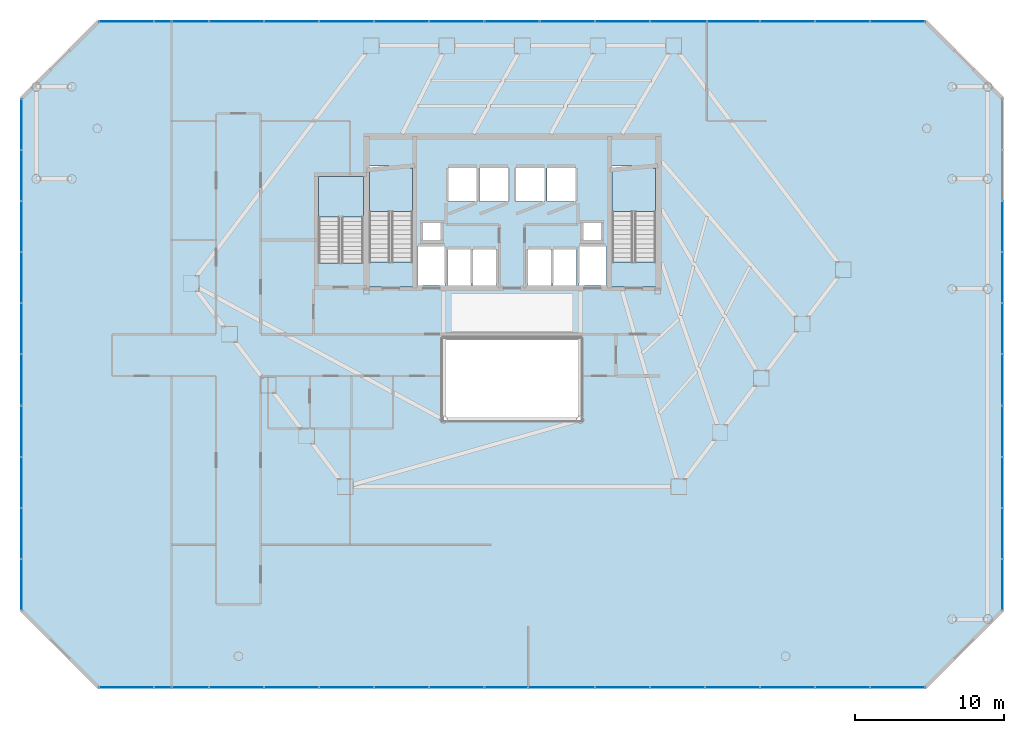
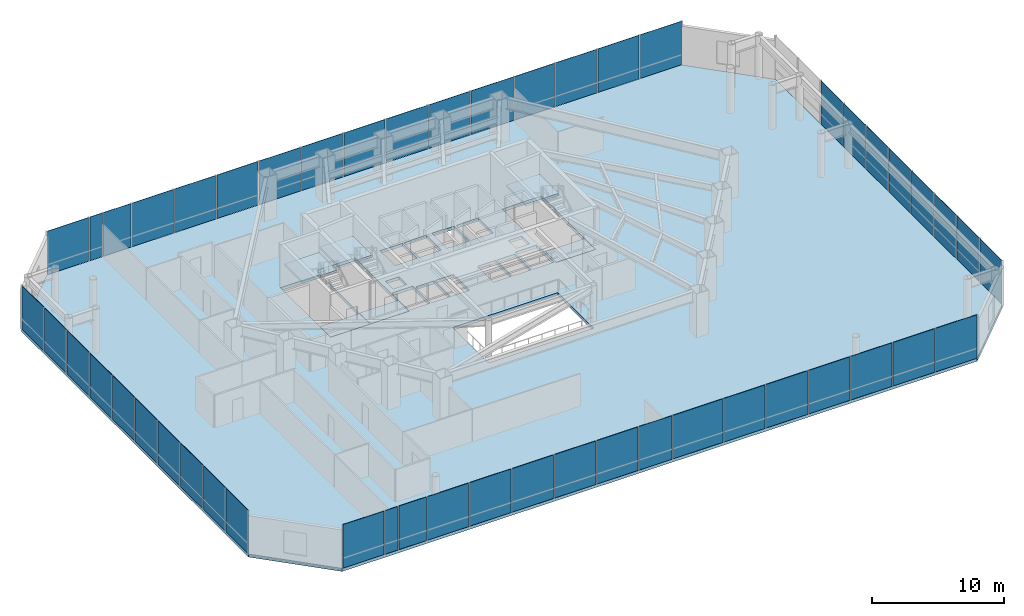
# One storey, part 28 of 33: 50 plates, 7 slabs, 7 elements without a shape of their own.
"""IFC4 building model written with IfcOpenShell, lengths in metres."""

from ifc_helpers import new_model, si_unit, direction, frame, origin, origin_2d, place, context, subcontext, project, spatial, polyline, rectangle, outline, extrude, material, layer, layer_set, type_object, element, aggregate, save


model = new_model("IFC4")

# Units and contexts
model_context = context("Model", 3, precision=1e-05, world=origin(), true_north=direction((0.0, 1.0)))
body_context = subcontext(model_context, "Body", "Model", "MODEL_VIEW")
ifc_project = project(units=[si_unit("LENGTHUNIT", "METRE"), si_unit("AREAUNIT", "SQUARE_METRE"), si_unit("VOLUMEUNIT", "CUBIC_METRE"), si_unit("PLANEANGLEUNIT", "RADIAN"), si_unit("MASSUNIT", "GRAM", prefix="KILO")], contexts=[model_context])

# Site, building, storey
site_placement = place(None, origin())
site = spatial("IfcSite", under=ifc_project, at=site_placement, CompositionType="ELEMENT")
building_placement = place(site_placement, origin())
building = spatial("IfcBuilding", under=site, at=building_placement, Name="Zarrinselat Tower", CompositionType="ELEMENT")
storey_placement = place(building_placement, frame((0.0, 0.0, 18.360107421875)))
storey = spatial("IfcBuildingStorey", under=building, at=storey_placement, Name="L04", CompositionType="ELEMENT", Elevation=18.360107421875)

# Curtain wall, plates
ifc_material_1 = material(Name="Extruded Aluminium Alloy EN AW-6063 T6", Category="aluminium")
ifc_layer_1 = layer(ifc_material_1, 0.2099609375)
ifc_layer_set_1 = layer_set([ifc_layer_1], Name="Extruded Aluminium Alloy EN AW-6063 T6")
curtain_wall_type = type_object("IfcCurtainWallType", Name="CWS-POD", PredefinedType="NOTDEFINED", material=ifc_layer_set_1)
curtain_wall_1_placement = place(storey_placement, origin())
curtain_wall_1 = element("IfcCurtainWall", 1, at=curtain_wall_1_placement, inside=storey, type_object=curtain_wall_type, Name="L04 Unitised Curtain Wall CW-L04-F1", PredefinedType="NOTDEFINED")
ifc_material_2 = material(Name="Double Low-E Laminated Solar Glass", Category="glass")
ifc_layer_2 = layer(ifc_material_2, 0.035888671875)
ifc_layer_set_2 = layer_set([ifc_layer_2], Name="Double Low-E Laminated Solar Glass")
plate_type = type_object("IfcPlateType", Name="PLT-CW-GL36", PredefinedType="CURTAIN_PANEL", material=ifc_layer_set_2)
plate_1_placement = place(storey_placement, frame((12.453369140625, 6.39990234375, 0.02001953125), z_axis=(0.0, 0.0, 1.0), x_axis=(1.0, 0.0, 0.0)))
plate_1 = element("IfcPlate", 2, at=plate_1_placement, type_object=plate_type, Name="CW-L04-F1 Vision Glass Panel 1", PredefinedType="CURTAIN_PANEL", context=body_context, shape_type="SweptSolid", body=[
    extrude(rectangle(XDim=3.606689453125, YDim=0.035888671875, at=origin_2d()), origin(), (0.0, 0.0, 1.0), 4.030029296875),
])
plate_2_placement = place(storey_placement, frame((14.9033203125, 6.39990234375, 0.02001953125), z_axis=(0.0, 0.0, 1.0), x_axis=(1.0, 0.0, 0.0)))
plate_2 = element("IfcPlate", 3, at=plate_2_placement, type_object=plate_type, Name="CW-L04-F1 Vision Glass Panel 2", PredefinedType="CURTAIN_PANEL", context=body_context, shape_type="SweptSolid", body=[
    extrude(rectangle(XDim=1.09326171875, YDim=0.035888671875, at=origin_2d()), origin(), (0.0, 0.0, 1.0), 4.030029296875),
])
plate_3_placement = place(storey_placement, frame((16.756591796875, 6.39990234375, 0.02001953125), z_axis=(0.0, 0.0, 1.0), x_axis=(1.0, 0.0, 0.0)))
plate_3 = element("IfcPlate", 4, at=plate_3_placement, type_object=plate_type, Name="CW-L04-F1 Vision Glass Panel 3", PredefinedType="CURTAIN_PANEL", context=body_context, shape_type="SweptSolid", body=[
    extrude(rectangle(XDim=2.413330078125, YDim=0.035888671875, at=origin_2d()), origin(), (0.0, 0.0, 1.0), 4.030029296875),
])
plate_4_placement = place(storey_placement, frame((19.86669921875, 6.39990234375, 0.02001953125), z_axis=(0.0, 0.0, 1.0), x_axis=(1.0, 0.0, 0.0)))
plate_4 = element("IfcPlate", 5, at=plate_4_placement, type_object=plate_type, Name="CW-L04-F1 Vision Glass Panel 4", PredefinedType="CURTAIN_PANEL", context=body_context, shape_type="SweptSolid", body=[
    extrude(rectangle(XDim=3.606689453125, YDim=0.035888671875, at=origin_2d()), origin(), (0.0, 0.0, 1.0), 4.030029296875),
])
plate_5_placement = place(storey_placement, frame((23.5732421875, 6.39990234375, 0.02001953125), z_axis=(0.0, 0.0, 1.0), x_axis=(1.0, 0.0, 0.0)))
plate_5 = element("IfcPlate", 6, at=plate_5_placement, type_object=plate_type, Name="CW-L04-F1 Vision Glass Panel 5", PredefinedType="CURTAIN_PANEL", context=body_context, shape_type="SweptSolid", body=[
    extrude(rectangle(XDim=3.606689453125, YDim=0.035888671875, at=origin_2d()), origin(), (0.0, 0.0, 1.0), 4.030029296875),
])
plate_6_placement = place(storey_placement, frame((27.280029296875, 6.39990234375, 0.02001953125), z_axis=(0.0, 0.0, 1.0), x_axis=(1.0, 0.0, 0.0)))
plate_6 = element("IfcPlate", 7, at=plate_6_placement, type_object=plate_type, Name="CW-L04-F1 Vision Glass Panel 6", PredefinedType="CURTAIN_PANEL", context=body_context, shape_type="SweptSolid", body=[
    extrude(rectangle(XDim=3.606689453125, YDim=0.035888671875, at=origin_2d()), origin(), (0.0, 0.0, 1.0), 4.030029296875),
])
plate_7_placement = place(storey_placement, frame((30.98681640625, 6.39990234375, 0.02001953125), z_axis=(0.0, 0.0, 1.0), x_axis=(1.0, 0.0, 0.0)))
plate_7 = element("IfcPlate", 8, at=plate_7_placement, type_object=plate_type, Name="CW-L04-F1 Vision Glass Panel 7", PredefinedType="CURTAIN_PANEL", context=body_context, shape_type="SweptSolid", body=[
    extrude(rectangle(XDim=3.606689453125, YDim=0.035888671875, at=origin_2d()), origin(), (0.0, 0.0, 1.0), 4.030029296875),
])
plate_8_placement = place(storey_placement, frame((34.693359375, 6.39990234375, 0.02001953125), z_axis=(0.0, 0.0, 1.0), x_axis=(1.0, 0.0, 0.0)))
plate_8 = element("IfcPlate", 9, at=plate_8_placement, type_object=plate_type, Name="CW-L04-F1 Vision Glass Panel 8", PredefinedType="CURTAIN_PANEL", context=body_context, shape_type="SweptSolid", body=[
    extrude(rectangle(XDim=3.606689453125, YDim=0.035888671875, at=origin_2d()), origin(), (0.0, 0.0, 1.0), 4.030029296875),
])
plate_9_placement = place(storey_placement, frame((38.023193359375, 6.39990234375, 0.02001953125), z_axis=(0.0, 0.0, 1.0), x_axis=(1.0, 0.0, 0.0)))
plate_9 = element("IfcPlate", 10, at=plate_9_placement, type_object=plate_type, Name="CW-L04-F1 Vision Glass Panel 9", PredefinedType="CURTAIN_PANEL", context=body_context, shape_type="SweptSolid", body=[
    extrude(rectangle(XDim=2.853271484375, YDim=0.035888671875, at=origin_2d()), origin(), (0.0, 0.0, 1.0), 4.030029296875),
])
plate_10_placement = place(storey_placement, frame((41.72998046875, 6.39990234375, 0.02001953125), z_axis=(0.0, 0.0, 1.0), x_axis=(1.0, 0.0, 0.0)))
plate_10 = element("IfcPlate", 11, at=plate_10_placement, type_object=plate_type, Name="CW-L04-F1 Vision Glass Panel 10", PredefinedType="CURTAIN_PANEL", context=body_context, shape_type="SweptSolid", body=[
    extrude(rectangle(XDim=4.360107421875, YDim=0.035888671875, at=origin_2d()), origin(), (0.0, 0.0, 1.0), 4.030029296875),
])
plate_11_placement = place(storey_placement, frame((45.813232421875, 6.39990234375, 0.02001953125), z_axis=(0.0, 0.0, 1.0), x_axis=(1.0, 0.0, 0.0)))
plate_11 = element("IfcPlate", 12, at=plate_11_placement, type_object=plate_type, Name="CW-L04-F1 Vision Glass Panel 11", PredefinedType="CURTAIN_PANEL", context=body_context, shape_type="SweptSolid", body=[
    extrude(rectangle(XDim=3.606689453125, YDim=0.035888671875, at=origin_2d()), origin(), (0.0, 0.0, 1.0), 4.030029296875),
])
plate_12_placement = place(storey_placement, frame((49.52001953125, 6.39990234375, 0.02001953125), z_axis=(0.0, 0.0, 1.0), x_axis=(1.0, 0.0, 0.0)))
plate_12 = element("IfcPlate", 13, at=plate_12_placement, type_object=plate_type, Name="CW-L04-F1 Vision Glass Panel 12", PredefinedType="CURTAIN_PANEL", context=body_context, shape_type="SweptSolid", body=[
    extrude(rectangle(XDim=3.606689453125, YDim=0.035888671875, at=origin_2d()), origin(), (0.0, 0.0, 1.0), 4.030029296875),
])
plate_13_placement = place(storey_placement, frame((53.226806640625, 6.39990234375, 0.02001953125), z_axis=(0.0, 0.0, 1.0), x_axis=(1.0, 0.0, 0.0)))
plate_13 = element("IfcPlate", 14, at=plate_13_placement, type_object=plate_type, Name="CW-L04-F1 Vision Glass Panel 13", PredefinedType="CURTAIN_PANEL", context=body_context, shape_type="SweptSolid", body=[
    extrude(rectangle(XDim=3.606689453125, YDim=0.035888671875, at=origin_2d()), origin(), (0.0, 0.0, 1.0), 4.030029296875),
])
plate_14_placement = place(storey_placement, frame((56.933349609375, 6.39990234375, 0.02001953125), z_axis=(0.0, 0.0, 1.0), x_axis=(1.0, 0.0, 0.0)))
plate_14 = element("IfcPlate", 15, at=plate_14_placement, type_object=plate_type, Name="CW-L04-F1 Vision Glass Panel 14", PredefinedType="CURTAIN_PANEL", context=body_context, shape_type="SweptSolid", body=[
    extrude(rectangle(XDim=3.606689453125, YDim=0.035888671875, at=origin_2d()), origin(), (0.0, 0.0, 1.0), 4.030029296875),
])
plate_15_placement = place(storey_placement, frame((60.639892578125, 6.39990234375, 0.02001953125), z_axis=(0.0, 0.0, 1.0), x_axis=(1.0, 0.0, 0.0)))
plate_15 = element("IfcPlate", 16, at=plate_15_placement, type_object=plate_type, Name="CW-L04-F1 Vision Glass Panel 15", PredefinedType="CURTAIN_PANEL", context=body_context, shape_type="SweptSolid", body=[
    extrude(rectangle(XDim=3.606689453125, YDim=0.035888671875, at=origin_2d()), origin(), (0.0, 0.0, 1.0), 4.030029296875),
])
plate_16_placement = place(storey_placement, frame((64.3466796875, 6.39990234375, 0.02001953125), z_axis=(0.0, 0.0, 1.0), x_axis=(1.0, 0.0, 0.0)))
plate_16 = element("IfcPlate", 17, at=plate_16_placement, type_object=plate_type, Name="CW-L04-F1 Vision Glass Panel 16", PredefinedType="CURTAIN_PANEL", context=body_context, shape_type="SweptSolid", body=[
    extrude(rectangle(XDim=3.606689453125, YDim=0.035888671875, at=origin_2d()), origin(), (0.0, 0.0, 1.0), 4.030029296875),
])
aggregate(curtain_wall_1, [plate_1, plate_2, plate_3, plate_4, plate_5, plate_6, plate_7, plate_8, plate_9, plate_10, plate_11, plate_12, plate_13, plate_14, plate_15, plate_16])

curtain_wall_2_placement = place(storey_placement, origin())
curtain_wall_2 = element("IfcCurtainWall", 18, at=curtain_wall_2_placement, inside=storey, type_object=curtain_wall_type, Name="L04 Unitised Curtain Wall CW-L04-F3", PredefinedType="NOTDEFINED")
plate_17_placement = place(storey_placement, frame((71.39990234375, 13.320068359375, 0.02001953125), z_axis=(0.0, 0.0, 1.0), x_axis=(0.0, 1.0, 0.0)))
plate_17 = element("IfcPlate", 19, at=plate_17_placement, type_object=plate_type, Name="CW-L04-F3 Vision Glass Panel 1", PredefinedType="CURTAIN_PANEL", context=body_context, shape_type="SweptSolid", body=[
    extrude(rectangle(XDim=3.340087890625, YDim=0.035888671875, at=origin_2d()), origin(), (0.0, 0.0, 1.0), 4.030029296875),
])
plate_18_placement = place(storey_placement, frame((71.39990234375, 16.760009765625, 0.02001953125), z_axis=(0.0, 0.0, 1.0), x_axis=(0.0, 1.0, 0.0)))
plate_18 = element("IfcPlate", 20, at=plate_18_placement, type_object=plate_type, Name="CW-L04-F3 Vision Glass Panel 2", PredefinedType="CURTAIN_PANEL", context=body_context, shape_type="SweptSolid", body=[
    extrude(rectangle(XDim=3.340087890625, YDim=0.035888671875, at=origin_2d()), origin(), (0.0, 0.0, 1.0), 4.030029296875),
])
plate_19_placement = place(storey_placement, frame((71.39990234375, 20.199951171875, 0.02001953125), z_axis=(0.0, 0.0, 1.0), x_axis=(0.0, 1.0, 0.0)))
plate_19 = element("IfcPlate", 21, at=plate_19_placement, type_object=plate_type, Name="CW-L04-F3 Vision Glass Panel 3", PredefinedType="CURTAIN_PANEL", context=body_context, shape_type="SweptSolid", body=[
    extrude(rectangle(XDim=3.340087890625, YDim=0.035888671875, at=origin_2d()), origin(), (0.0, 0.0, 1.0), 4.030029296875),
])
plate_20_placement = place(storey_placement, frame((71.39990234375, 23.639892578125, 0.02001953125), z_axis=(0.0, 0.0, 1.0), x_axis=(0.0, 1.0, 0.0)))
plate_20 = element("IfcPlate", 22, at=plate_20_placement, type_object=plate_type, Name="CW-L04-F3 Vision Glass Panel 4", PredefinedType="CURTAIN_PANEL", context=body_context, shape_type="SweptSolid", body=[
    extrude(rectangle(XDim=3.340087890625, YDim=0.035888671875, at=origin_2d()), origin(), (0.0, 0.0, 1.0), 4.030029296875),
])
plate_21_placement = place(storey_placement, frame((71.39990234375, 27.080078125, 0.02001953125), z_axis=(0.0, 0.0, 1.0), x_axis=(0.0, 1.0, 0.0)))
plate_21 = element("IfcPlate", 23, at=plate_21_placement, type_object=plate_type, Name="CW-L04-F3 Vision Glass Panel 5", PredefinedType="CURTAIN_PANEL", context=body_context, shape_type="SweptSolid", body=[
    extrude(rectangle(XDim=3.340087890625, YDim=0.035888671875, at=origin_2d()), origin(), (0.0, 0.0, 1.0), 4.030029296875),
])
plate_22_placement = place(storey_placement, frame((71.39990234375, 30.52001953125, 0.02001953125), z_axis=(0.0, 0.0, 1.0), x_axis=(0.0, 1.0, 0.0)))
plate_22 = element("IfcPlate", 24, at=plate_22_placement, type_object=plate_type, Name="CW-L04-F3 Vision Glass Panel 6", PredefinedType="CURTAIN_PANEL", context=body_context, shape_type="SweptSolid", body=[
    extrude(rectangle(XDim=3.340087890625, YDim=0.035888671875, at=origin_2d()), origin(), (0.0, 0.0, 1.0), 4.030029296875),
])
plate_23_placement = place(storey_placement, frame((71.39990234375, 33.9599609375, 0.02001953125), z_axis=(0.0, 0.0, 1.0), x_axis=(0.0, 1.0, 0.0)))
plate_23 = element("IfcPlate", 25, at=plate_23_placement, type_object=plate_type, Name="CW-L04-F3 Vision Glass Panel 7", PredefinedType="CURTAIN_PANEL", context=body_context, shape_type="SweptSolid", body=[
    extrude(rectangle(XDim=3.340087890625, YDim=0.035888671875, at=origin_2d()), origin(), (0.0, 0.0, 1.0), 4.030029296875),
])
plate_24_placement = place(storey_placement, frame((71.39990234375, 37.39990234375, 0.02001953125), z_axis=(0.0, 0.0, 1.0), x_axis=(0.0, 1.0, 0.0)))
plate_24 = element("IfcPlate", 26, at=plate_24_placement, type_object=plate_type, Name="CW-L04-F3 Vision Glass Panel 8", PredefinedType="CURTAIN_PANEL", context=body_context, shape_type="SweptSolid", body=[
    extrude(rectangle(XDim=3.340087890625, YDim=0.035888671875, at=origin_2d()), origin(), (0.0, 0.0, 1.0), 4.030029296875),
])
aggregate(curtain_wall_2, [plate_17, plate_18, plate_19, plate_20, plate_21, plate_22, plate_23, plate_24])

curtain_wall_3_placement = place(storey_placement, origin())
curtain_wall_3 = element("IfcCurtainWall", 27, at=curtain_wall_3_placement, inside=storey, type_object=curtain_wall_type, Name="L04 Unitised Curtain Wall CW-L04-F5", PredefinedType="NOTDEFINED")
plate_25_placement = place(storey_placement, frame((64.3466796875, 51.199951171875, 0.02001953125), z_axis=(0.0, 0.0, 1.0), x_axis=(-1.0, 0.0, 0.0)))
plate_25 = element("IfcPlate", 28, at=plate_25_placement, type_object=plate_type, Name="CW-L04-F5 Vision Glass Panel 1", PredefinedType="CURTAIN_PANEL", context=body_context, shape_type="SweptSolid", body=[
    extrude(rectangle(XDim=3.606689453125, YDim=0.035888671875, at=origin_2d()), origin(), (0.0, 0.0, 1.0), 4.030029296875),
])
plate_26_placement = place(storey_placement, frame((60.639892578125, 51.199951171875, 0.02001953125), z_axis=(0.0, 0.0, 1.0), x_axis=(-1.0, 0.0, 0.0)))
plate_26 = element("IfcPlate", 29, at=plate_26_placement, type_object=plate_type, Name="CW-L04-F5 Vision Glass Panel 2", PredefinedType="CURTAIN_PANEL", context=body_context, shape_type="SweptSolid", body=[
    extrude(rectangle(XDim=3.606689453125, YDim=0.035888671875, at=origin_2d()), origin(), (0.0, 0.0, 1.0), 4.030029296875),
])
plate_27_placement = place(storey_placement, frame((56.933349609375, 51.199951171875, 0.02001953125), z_axis=(0.0, 0.0, 1.0), x_axis=(-1.0, 0.0, 0.0)))
plate_27 = element("IfcPlate", 30, at=plate_27_placement, type_object=plate_type, Name="CW-L04-F5 Vision Glass Panel 3", PredefinedType="CURTAIN_PANEL", context=body_context, shape_type="SweptSolid", body=[
    extrude(rectangle(XDim=3.606689453125, YDim=0.035888671875, at=origin_2d()), origin(), (0.0, 0.0, 1.0), 4.030029296875),
])
plate_28_placement = place(storey_placement, frame((53.2900390625, 51.199951171875, 0.02001953125), z_axis=(0.0, 0.0, 1.0), x_axis=(-1.0, 0.0, 0.0)))
plate_28 = element("IfcPlate", 31, at=plate_28_placement, type_object=plate_type, Name="CW-L04-F5 Vision Glass Panel 4", PredefinedType="CURTAIN_PANEL", context=body_context, shape_type="SweptSolid", body=[
    extrude(rectangle(XDim=3.47998046875, YDim=0.035888671875, at=origin_2d()), origin(), (0.0, 0.0, 1.0), 4.030029296875),
])
plate_29_placement = place(storey_placement, frame((49.583251953125, 51.199951171875, 0.02001953125), z_axis=(0.0, 0.0, 1.0), x_axis=(-1.0, 0.0, 0.0)))
plate_29 = element("IfcPlate", 32, at=plate_29_placement, type_object=plate_type, Name="CW-L04-F5 Vision Glass Panel 5", PredefinedType="CURTAIN_PANEL", context=body_context, shape_type="SweptSolid", body=[
    extrude(rectangle(XDim=3.7333984375, YDim=0.035888671875, at=origin_2d()), origin(), (0.0, 0.0, 1.0), 4.030029296875),
])
plate_30_placement = place(storey_placement, frame((45.813232421875, 51.199951171875, 0.02001953125), z_axis=(0.0, 0.0, 1.0), x_axis=(-1.0, 0.0, 0.0)))
plate_30 = element("IfcPlate", 33, at=plate_30_placement, type_object=plate_type, Name="CW-L04-F5 Vision Glass Panel 6", PredefinedType="CURTAIN_PANEL", context=body_context, shape_type="SweptSolid", body=[
    extrude(rectangle(XDim=3.606689453125, YDim=0.035888671875, at=origin_2d()), origin(), (0.0, 0.0, 1.0), 4.030029296875),
])
plate_31_placement = place(storey_placement, frame((42.106689453125, 51.199951171875, 0.02001953125), z_axis=(0.0, 0.0, 1.0), x_axis=(-1.0, 0.0, 0.0)))
plate_31 = element("IfcPlate", 34, at=plate_31_placement, type_object=plate_type, Name="CW-L04-F5 Vision Glass Panel 7", PredefinedType="CURTAIN_PANEL", context=body_context, shape_type="SweptSolid", body=[
    extrude(rectangle(XDim=3.606689453125, YDim=0.035888671875, at=origin_2d()), origin(), (0.0, 0.0, 1.0), 4.030029296875),
])
plate_32_placement = place(storey_placement, frame((38.39990234375, 51.199951171875, 0.02001953125), z_axis=(0.0, 0.0, 1.0), x_axis=(-1.0, 0.0, 0.0)))
plate_32 = element("IfcPlate", 35, at=plate_32_placement, type_object=plate_type, Name="CW-L04-F5 Vision Glass Panel 8", PredefinedType="CURTAIN_PANEL", context=body_context, shape_type="SweptSolid", body=[
    extrude(rectangle(XDim=3.606689453125, YDim=0.035888671875, at=origin_2d()), origin(), (0.0, 0.0, 1.0), 4.030029296875),
])
plate_33_placement = place(storey_placement, frame((34.693359375, 51.199951171875, 0.02001953125), z_axis=(0.0, 0.0, 1.0), x_axis=(-1.0, 0.0, 0.0)))
plate_33 = element("IfcPlate", 36, at=plate_33_placement, type_object=plate_type, Name="CW-L04-F5 Vision Glass Panel 9", PredefinedType="CURTAIN_PANEL", context=body_context, shape_type="SweptSolid", body=[
    extrude(rectangle(XDim=3.606689453125, YDim=0.035888671875, at=origin_2d()), origin(), (0.0, 0.0, 1.0), 4.030029296875),
])
plate_34_placement = place(storey_placement, frame((30.98681640625, 51.199951171875, 0.02001953125), z_axis=(0.0, 0.0, 1.0), x_axis=(-1.0, 0.0, 0.0)))
plate_34 = element("IfcPlate", 37, at=plate_34_placement, type_object=plate_type, Name="CW-L04-F5 Vision Glass Panel 10", PredefinedType="CURTAIN_PANEL", context=body_context, shape_type="SweptSolid", body=[
    extrude(rectangle(XDim=3.606689453125, YDim=0.035888671875, at=origin_2d()), origin(), (0.0, 0.0, 1.0), 4.030029296875),
])
plate_35_placement = place(storey_placement, frame((27.280029296875, 51.199951171875, 0.02001953125), z_axis=(0.0, 0.0, 1.0), x_axis=(-1.0, 0.0, 0.0)))
plate_35 = element("IfcPlate", 38, at=plate_35_placement, type_object=plate_type, Name="CW-L04-F5 Vision Glass Panel 11", PredefinedType="CURTAIN_PANEL", context=body_context, shape_type="SweptSolid", body=[
    extrude(rectangle(XDim=3.606689453125, YDim=0.035888671875, at=origin_2d()), origin(), (0.0, 0.0, 1.0), 4.030029296875),
])
plate_36_placement = place(storey_placement, frame((23.5732421875, 51.199951171875, 0.02001953125), z_axis=(0.0, 0.0, 1.0), x_axis=(-1.0, 0.0, 0.0)))
plate_36 = element("IfcPlate", 39, at=plate_36_placement, type_object=plate_type, Name="CW-L04-F5 Vision Glass Panel 12", PredefinedType="CURTAIN_PANEL", context=body_context, shape_type="SweptSolid", body=[
    extrude(rectangle(XDim=3.606689453125, YDim=0.035888671875, at=origin_2d()), origin(), (0.0, 0.0, 1.0), 4.030029296875),
])
plate_37_placement = place(storey_placement, frame((19.86669921875, 51.199951171875, 0.02001953125), z_axis=(0.0, 0.0, 1.0), x_axis=(-1.0, 0.0, 0.0)))
plate_37 = element("IfcPlate", 40, at=plate_37_placement, type_object=plate_type, Name="CW-L04-F5 Vision Glass Panel 13", PredefinedType="CURTAIN_PANEL", context=body_context, shape_type="SweptSolid", body=[
    extrude(rectangle(XDim=3.606689453125, YDim=0.035888671875, at=origin_2d()), origin(), (0.0, 0.0, 1.0), 4.030029296875),
])
plate_38_placement = place(storey_placement, frame((16.756591796875, 51.199951171875, 0.02001953125), z_axis=(0.0, 0.0, 1.0), x_axis=(-1.0, 0.0, 0.0)))
plate_38 = element("IfcPlate", 41, at=plate_38_placement, type_object=plate_type, Name="CW-L04-F5 Vision Glass Panel 14", PredefinedType="CURTAIN_PANEL", context=body_context, shape_type="SweptSolid", body=[
    extrude(rectangle(XDim=2.413330078125, YDim=0.035888671875, at=origin_2d()), origin(), (0.0, 0.0, 1.0), 4.030029296875),
])
plate_39_placement = place(storey_placement, frame((14.9033203125, 51.199951171875, 0.02001953125), z_axis=(0.0, 0.0, 1.0), x_axis=(-1.0, 0.0, 0.0)))
plate_39 = element("IfcPlate", 42, at=plate_39_placement, type_object=plate_type, Name="CW-L04-F5 Vision Glass Panel 15", PredefinedType="CURTAIN_PANEL", context=body_context, shape_type="SweptSolid", body=[
    extrude(rectangle(XDim=1.09326171875, YDim=0.035888671875, at=origin_2d()), origin(), (0.0, 0.0, 1.0), 4.030029296875),
])
plate_40_placement = place(storey_placement, frame((12.453369140625, 51.199951171875, 0.02001953125), z_axis=(0.0, 0.0, 1.0), x_axis=(-1.0, 0.0, 0.0)))
plate_40 = element("IfcPlate", 43, at=plate_40_placement, type_object=plate_type, Name="CW-L04-F5 Vision Glass Panel 16", PredefinedType="CURTAIN_PANEL", context=body_context, shape_type="SweptSolid", body=[
    extrude(rectangle(XDim=3.606689453125, YDim=0.035888671875, at=origin_2d()), origin(), (0.0, 0.0, 1.0), 4.030029296875),
])
aggregate(curtain_wall_3, [plate_25, plate_26, plate_27, plate_28, plate_29, plate_30, plate_31, plate_32, plate_33, plate_34, plate_35, plate_36, plate_37, plate_38, plate_39, plate_40])

curtain_wall_4_placement = place(storey_placement, origin())
curtain_wall_4 = element("IfcCurtainWall", 44, at=curtain_wall_4_placement, inside=storey, type_object=curtain_wall_type, Name="L04 Unitised Curtain Wall CW-L04-F7", PredefinedType="NOTDEFINED")
plate_41_placement = place(storey_placement, frame((5.39990234375, 44.280029296875, 0.02001953125), z_axis=(0.0, 0.0, 1.0), x_axis=(0.0, -1.0, 0.0)))
plate_41 = element("IfcPlate", 45, at=plate_41_placement, type_object=plate_type, Name="CW-L04-F7 Vision Glass Panel 1", PredefinedType="CURTAIN_PANEL", context=body_context, shape_type="SweptSolid", body=[
    extrude(rectangle(XDim=3.340087890625, YDim=0.035888671875, at=origin_2d()), origin(), (0.0, 0.0, 1.0), 4.030029296875),
])
plate_42_placement = place(storey_placement, frame((5.39990234375, 40.840087890625, 0.02001953125), z_axis=(0.0, 0.0, 1.0), x_axis=(0.0, -1.0, 0.0)))
plate_42 = element("IfcPlate", 46, at=plate_42_placement, type_object=plate_type, Name="CW-L04-F7 Vision Glass Panel 2", PredefinedType="CURTAIN_PANEL", context=body_context, shape_type="SweptSolid", body=[
    extrude(rectangle(XDim=3.340087890625, YDim=0.035888671875, at=origin_2d()), origin(), (0.0, 0.0, 1.0), 4.030029296875),
])
plate_43_placement = place(storey_placement, frame((5.39990234375, 37.39990234375, 0.02001953125), z_axis=(0.0, 0.0, 1.0), x_axis=(0.0, -1.0, 0.0)))
plate_43 = element("IfcPlate", 47, at=plate_43_placement, type_object=plate_type, Name="CW-L04-F7 Vision Glass Panel 3", PredefinedType="CURTAIN_PANEL", context=body_context, shape_type="SweptSolid", body=[
    extrude(rectangle(XDim=3.340087890625, YDim=0.035888671875, at=origin_2d()), origin(), (0.0, 0.0, 1.0), 4.030029296875),
])
plate_44_placement = place(storey_placement, frame((5.39990234375, 33.9599609375, 0.02001953125), z_axis=(0.0, 0.0, 1.0), x_axis=(0.0, -1.0, 0.0)))
plate_44 = element("IfcPlate", 48, at=plate_44_placement, type_object=plate_type, Name="CW-L04-F7 Vision Glass Panel 4", PredefinedType="CURTAIN_PANEL", context=body_context, shape_type="SweptSolid", body=[
    extrude(rectangle(XDim=3.340087890625, YDim=0.035888671875, at=origin_2d()), origin(), (0.0, 0.0, 1.0), 4.030029296875),
])
plate_45_placement = place(storey_placement, frame((5.39990234375, 30.52001953125, 0.02001953125), z_axis=(0.0, 0.0, 1.0), x_axis=(0.0, -1.0, 0.0)))
plate_45 = element("IfcPlate", 49, at=plate_45_placement, type_object=plate_type, Name="CW-L04-F7 Vision Glass Panel 5", PredefinedType="CURTAIN_PANEL", context=body_context, shape_type="SweptSolid", body=[
    extrude(rectangle(XDim=3.340087890625, YDim=0.035888671875, at=origin_2d()), origin(), (0.0, 0.0, 1.0), 4.030029296875),
])
plate_46_placement = place(storey_placement, frame((5.39990234375, 27.080078125, 0.02001953125), z_axis=(0.0, 0.0, 1.0), x_axis=(0.0, -1.0, 0.0)))
plate_46 = element("IfcPlate", 50, at=plate_46_placement, type_object=plate_type, Name="CW-L04-F7 Vision Glass Panel 6", PredefinedType="CURTAIN_PANEL", context=body_context, shape_type="SweptSolid", body=[
    extrude(rectangle(XDim=3.340087890625, YDim=0.035888671875, at=origin_2d()), origin(), (0.0, 0.0, 1.0), 4.030029296875),
])
plate_47_placement = place(storey_placement, frame((5.39990234375, 23.639892578125, 0.02001953125), z_axis=(0.0, 0.0, 1.0), x_axis=(0.0, -1.0, 0.0)))
plate_47 = element("IfcPlate", 51, at=plate_47_placement, type_object=plate_type, Name="CW-L04-F7 Vision Glass Panel 7", PredefinedType="CURTAIN_PANEL", context=body_context, shape_type="SweptSolid", body=[
    extrude(rectangle(XDim=3.340087890625, YDim=0.035888671875, at=origin_2d()), origin(), (0.0, 0.0, 1.0), 4.030029296875),
])
plate_48_placement = place(storey_placement, frame((5.39990234375, 20.199951171875, 0.02001953125), z_axis=(0.0, 0.0, 1.0), x_axis=(0.0, -1.0, 0.0)))
plate_48 = element("IfcPlate", 52, at=plate_48_placement, type_object=plate_type, Name="CW-L04-F7 Vision Glass Panel 8", PredefinedType="CURTAIN_PANEL", context=body_context, shape_type="SweptSolid", body=[
    extrude(rectangle(XDim=3.340087890625, YDim=0.035888671875, at=origin_2d()), origin(), (0.0, 0.0, 1.0), 4.030029296875),
])
plate_49_placement = place(storey_placement, frame((5.39990234375, 16.760009765625, 0.02001953125), z_axis=(0.0, 0.0, 1.0), x_axis=(0.0, -1.0, 0.0)))
plate_49 = element("IfcPlate", 53, at=plate_49_placement, type_object=plate_type, Name="CW-L04-F7 Vision Glass Panel 9", PredefinedType="CURTAIN_PANEL", context=body_context, shape_type="SweptSolid", body=[
    extrude(rectangle(XDim=3.340087890625, YDim=0.035888671875, at=origin_2d()), origin(), (0.0, 0.0, 1.0), 4.030029296875),
])
plate_50_placement = place(storey_placement, frame((5.39990234375, 13.320068359375, 0.02001953125), z_axis=(0.0, 0.0, 1.0), x_axis=(0.0, -1.0, 0.0)))
plate_50 = element("IfcPlate", 54, at=plate_50_placement, type_object=plate_type, Name="CW-L04-F7 Vision Glass Panel 10", PredefinedType="CURTAIN_PANEL", context=body_context, shape_type="SweptSolid", body=[
    extrude(rectangle(XDim=3.340087890625, YDim=0.035888671875, at=origin_2d()), origin(), (0.0, 0.0, 1.0), 4.030029296875),
])
aggregate(curtain_wall_4, [plate_41, plate_42, plate_43, plate_44, plate_45, plate_46, plate_47, plate_48, plate_49, plate_50])

# Slabs
ifc_material_3 = material(Name="Concrete C40/50", Category="concrete")
ifc_layer_3 = layer(ifc_material_3, 0.280029296875)
ifc_layer_set_3 = layer_set([ifc_layer_3], Name="Concrete C40/50")
slab_type_1 = type_object("IfcSlabType", Name="SLB-FLOOR-280-SL-PD280", PredefinedType="FLOOR", material=ifc_layer_set_3)
slab_1_placement = place(storey_placement, frame((0.0, 0.0, -0.280029296875)))
element("IfcSlab", 55, at=slab_1_placement, inside=storey, type_object=slab_type_1, Name="L04 Primary Structural Slab", PredefinedType="FLOOR", context=body_context, shape_type="SweptSolid", body=[
    extrude(outline(polyline([(10.60009765625, 6.39990234375), (66.199951171875, 6.39990234375), (71.39990234375, 11.60009765625), (71.39990234375, 46.0), (66.199951171875, 51.199951171875), (10.60009765625, 51.199951171875), (5.39990234375, 46.0), (5.39990234375, 11.60009765625), (10.60009765625, 6.39990234375)]), holes=[polyline([(34.050048828125, 33.449951171875), (34.050048828125, 35.85009765625), (35.64990234375, 35.85009765625), (35.64990234375, 33.449951171875), (34.050048828125, 33.449951171875)]), polyline([(35.75, 33.449951171875), (35.75, 35.85009765625), (37.35009765625, 35.85009765625), (37.35009765625, 33.449951171875), (35.75, 33.449951171875)]), polyline([(32.06005859375, 33.449951171875), (32.06005859375, 36.050048828125), (33.89990234375, 36.050048828125), (33.89990234375, 33.449951171875), (32.06005859375, 33.449951171875)]), polyline([(32.419921875, 36.47998046875), (32.419921875, 37.639892578125), (33.60009765625, 37.639892578125), (33.60009765625, 36.47998046875), (32.419921875, 36.47998046875)]), polyline([(28.594970703125, 33.324951171875), (25.114990234375, 33.324951171875), (25.114990234375, 40.875), (28.594970703125, 40.875), (28.594970703125, 33.324951171875)]), polyline([(31.985107421875, 33.324951171875), (28.60498046875, 33.324951171875), (28.60498046875, 41.47509765625), (31.985107421875, 41.47509765625), (31.985107421875, 33.324951171875)]), polyline([(34.10009765625, 39.10009765625), (34.10009765625, 41.35009765625), (36.050048828125, 41.35009765625), (36.050048828125, 39.10009765625), (34.10009765625, 39.10009765625)]), polyline([(36.199951171875, 39.10009765625), (36.199951171875, 41.35009765625), (38.14990234375, 41.35009765625), (38.14990234375, 39.10009765625), (36.199951171875, 39.10009765625)]), polyline([(33.800048828125, 24.39990234375), (33.800048828125, 29.800048828125), (43.0, 29.800048828125), (43.0, 24.39990234375), (33.800048828125, 24.39990234375)]), polyline([(39.449951171875, 33.449951171875), (39.449951171875, 35.85009765625), (41.050048828125, 35.85009765625), (41.050048828125, 33.449951171875), (39.449951171875, 33.449951171875)]), polyline([(41.14990234375, 33.449951171875), (41.14990234375, 35.85009765625), (42.75, 35.85009765625), (42.75, 33.449951171875), (41.14990234375, 33.449951171875)]), polyline([(42.89990234375, 33.449951171875), (42.89990234375, 36.050048828125), (44.739990234375, 36.050048828125), (44.739990234375, 33.449951171875), (42.89990234375, 33.449951171875)]), polyline([(43.199951171875, 36.47998046875), (43.199951171875, 37.639892578125), (44.3798828125, 37.639892578125), (44.3798828125, 36.47998046875), (43.199951171875, 36.47998046875)]), polyline([(48.324951171875, 33.324951171875), (44.875, 33.324951171875), (44.875, 41.47509765625), (48.324951171875, 41.47509765625), (48.324951171875, 33.324951171875)]), polyline([(38.64990234375, 39.10009765625), (38.64990234375, 41.35009765625), (40.60009765625, 41.35009765625), (40.60009765625, 39.10009765625), (38.64990234375, 39.10009765625)]), polyline([(40.75, 39.10009765625), (40.75, 41.35009765625), (42.699951171875, 41.35009765625), (42.699951171875, 39.10009765625), (40.75, 39.10009765625)])]), origin(), (0.0, 0.0, 1.0), 0.280029296875),
])
slab_2_placement = place(storey_placement, frame((0.0, 0.0, -0.280029296875)))
element("IfcSlab", 56, at=slab_2_placement, inside=storey, type_object=slab_type_1, Name="L04 Stair ST-1-FL1 Structural Floor Landing", PredefinedType="FLOOR", context=body_context, shape_type="SweptSolid", body=[
    extrude(outline(polyline([(31.97998046875, 33.330078125), (31.97998046875, 35.0), (28.610107421875, 35.0), (28.610107421875, 33.330078125), (31.97998046875, 33.330078125)])), origin(), (0.0, 0.0, 1.0), 0.280029296875),
])
slab_3_placement = place(storey_placement, frame((0.0, 0.0, -0.280029296875)))
element("IfcSlab", 57, at=slab_3_placement, inside=storey, type_object=slab_type_1, Name="L04 Stair ST-2-FL1 Structural Floor Landing", PredefinedType="FLOOR", context=body_context, shape_type="SweptSolid", body=[
    extrude(outline(polyline([(48.320068359375, 33.330078125), (48.320068359375, 35.0), (44.8798828125, 35.0), (44.8798828125, 33.330078125), (48.320068359375, 33.330078125)])), origin(), (0.0, 0.0, 1.0), 0.280029296875),
])
slab_4_placement = place(storey_placement, frame((0.0, 0.0, -0.280029296875)))
element("IfcSlab", 58, at=slab_4_placement, inside=storey, type_object=slab_type_1, Name="L04 Stair ST-3-FL1 Structural Floor Landing", PredefinedType="FLOOR", context=body_context, shape_type="SweptSolid", body=[
    extrude(outline(polyline([(28.590087890625, 33.330078125), (28.590087890625, 34.949951171875), (25.1201171875, 34.949951171875), (25.1201171875, 33.330078125), (28.590087890625, 33.330078125)])), origin(), (0.0, 0.0, 1.0), 0.280029296875),
])

# Stair, slab
ifc_material_4 = material(Name="Concrete C40/50", Category="concrete")
stair_type_1 = type_object("IfcStairType", Name="STR-CORE-145", PredefinedType="HALF_TURN_STAIR", material=ifc_material_4)
stair_1_placement = place(storey_placement, origin())
stair_1 = element("IfcStair", 59, at=stair_1_placement, inside=storey, type_object=stair_type_1, Name="L04 Podium & Mid-Tower Exit Stair 3", PredefinedType="HALF_TURN_STAIR")
ifc_material_5 = material(Name="Concrete C40/50", Category="concrete")
ifc_layer_4 = layer(ifc_material_5, 0.1650390625)
ifc_layer_set_4 = layer_set([ifc_layer_4], Name="Concrete C40/50")
slab_type_2 = type_object("IfcSlabType", Name="SLB-LND-165", PredefinedType="LANDING", material=ifc_layer_set_4)
slab_5_placement = place(storey_placement, frame((0.0, 0.0, 2.010009765625)))
slab_5 = element("IfcSlab", 60, at=slab_5_placement, type_object=slab_type_2, Name="ST-3 landing 1", PredefinedType="LANDING", context=body_context, shape_type="SweptSolid", body=[
    extrude(outline(polyline([(28.39990234375, 38.030029296875), (28.39990234375, 40.75), (25.3798828125, 40.75), (25.3798828125, 38.030029296875), (28.39990234375, 38.030029296875)])), origin(), (0.0, 0.0, 1.0), 0.199951171875),
])
aggregate(stair_1, [slab_5])

ifc_material_6 = material(Name="Concrete C40/50", Category="concrete")
stair_type_2 = type_object("IfcStairType", Name="STR-CORE-155", PredefinedType="HALF_TURN_STAIR", material=ifc_material_6)
stair_2_placement = place(storey_placement, origin())
stair_2 = element("IfcStair", 61, at=stair_2_placement, inside=storey, type_object=stair_type_2, Name="L04 Core Exit Stair 1", PredefinedType="HALF_TURN_STAIR")
ifc_material_7 = material(Name="Concrete C40/50", Category="concrete")
ifc_layer_5 = layer(ifc_material_7, 0.18994140625)
ifc_layer_set_5 = layer_set([ifc_layer_5], Name="Concrete C40/50")
slab_type_3 = type_object("IfcSlabType", Name="SLB-LND-190", PredefinedType="LANDING", material=ifc_layer_set_5)
slab_6_placement = place(storey_placement, frame((0.0, 0.0, 2.010009765625)))
slab_6 = element("IfcSlab", 62, at=slab_6_placement, type_object=slab_type_3, Name="ST-1 landing 1", PredefinedType="LANDING", context=body_context, shape_type="SweptSolid", body=[
    extrude(outline(polyline([(31.719970703125, 38.409912109375), (31.719970703125, 41.35009765625), (28.800048828125, 41.35009765625), (28.800048828125, 38.409912109375), (31.719970703125, 38.409912109375)])), origin(), (0.0, 0.0, 1.0), 0.199951171875),
])
aggregate(stair_2, [slab_6])

stair_3_placement = place(storey_placement, origin())
stair_3 = element("IfcStair", 63, at=stair_3_placement, inside=storey, type_object=stair_type_2, Name="L04 Core Exit Stair 2", PredefinedType="HALF_TURN_STAIR")
slab_7_placement = place(storey_placement, frame((0.0, 0.0, 2.010009765625)))
slab_7 = element("IfcSlab", 64, at=slab_7_placement, type_object=slab_type_3, Name="ST-2 landing 1", PredefinedType="LANDING", context=body_context, shape_type="SweptSolid", body=[
    extrude(outline(polyline([(48.06005859375, 38.409912109375), (48.06005859375, 41.35009765625), (45.139892578125, 41.35009765625), (45.139892578125, 38.409912109375), (48.06005859375, 38.409912109375)])), origin(), (0.0, 0.0, 1.0), 0.199951171875),
])
aggregate(stair_3, [slab_7])

save(model, "model.ifc")
